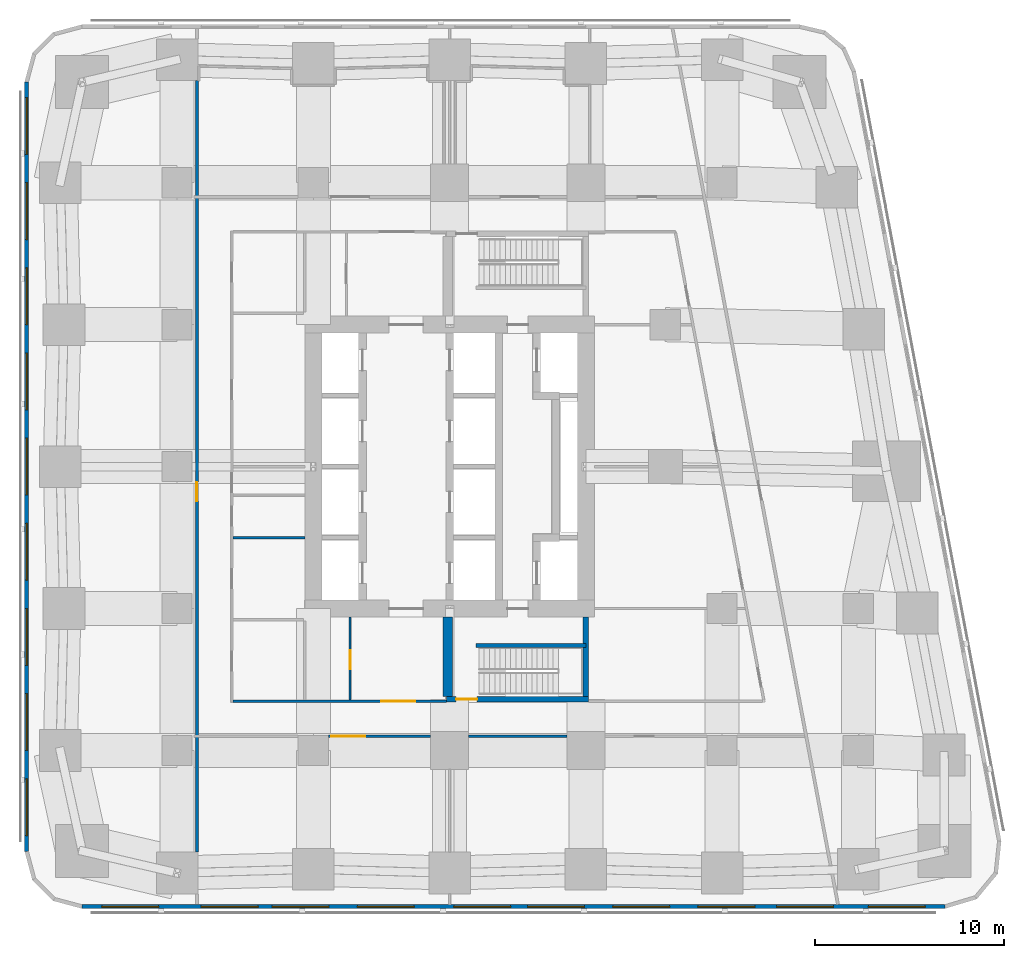
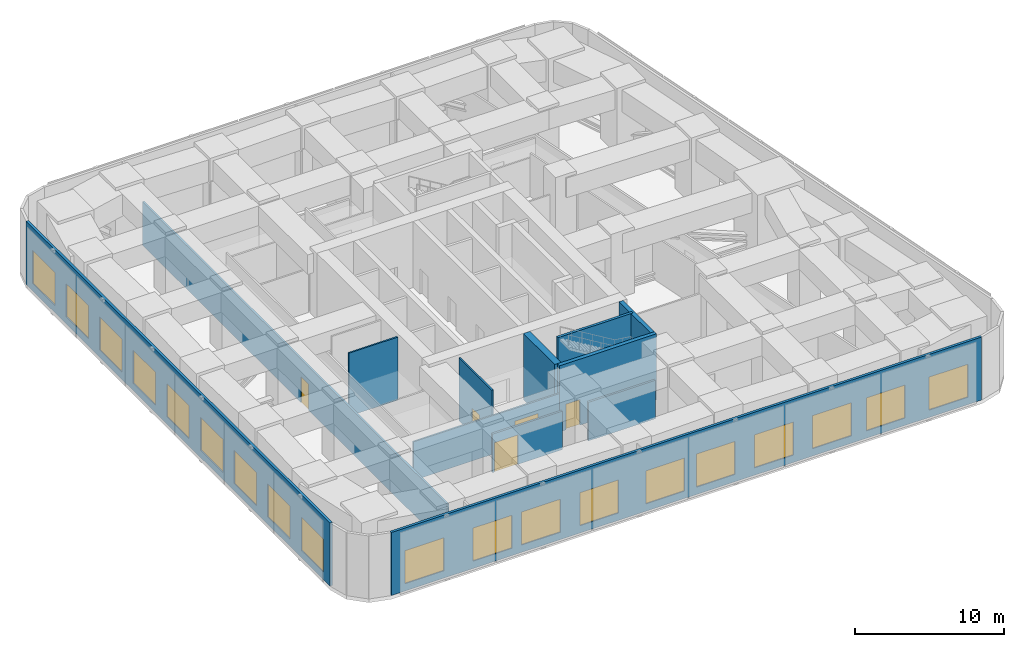
# One storey, part 4 of 10: 19 windows, 12 walls, 5 doors, 24 openings.
"""IFC4 building model written with IfcOpenShell, lengths in metres."""

from ifc_helpers import new_model, si_unit, direction, frame, frame_2d, origin, place, context, subcontext, project, spatial, rectangle, extrude, material, layer, layer_set, type_object, element, fill, save


model = new_model("IFC4")

# Units and contexts
model_context = context("Model", 3, precision=1e-05, world=origin(), true_north=direction((0.0, 1.0)))
body_context = subcontext(model_context, "Body", "Model", "MODEL_VIEW")
ifc_project = project(units=[si_unit("LENGTHUNIT", "METRE"), si_unit("AREAUNIT", "SQUARE_METRE"), si_unit("VOLUMEUNIT", "CUBIC_METRE"), si_unit("PLANEANGLEUNIT", "RADIAN"), si_unit("MASSUNIT", "GRAM", prefix="KILO")], contexts=[model_context])

# Site, building, storey
site_placement = place(None, origin())
site = spatial("IfcSite", under=ifc_project, at=site_placement, CompositionType="ELEMENT")
building_placement = place(site_placement, origin())
building = spatial("IfcBuilding", under=site, at=building_placement, Name="Sheger Commons Tower", CompositionType="ELEMENT")
storey_placement = place(building_placement, frame((0.0, 0.0, 130.39990234375)))
storey = spatial("IfcBuildingStorey", under=building, at=storey_placement, Name="L33", CompositionType="ELEMENT", Elevation=130.39990234375)

# Wall, opening, door
ifc_material_1 = material(Name="Hollow concrete block masonry, skimmed both sides", Category="masonry")
ifc_layer_1 = layer(ifc_material_1, 0.14990234375)
ifc_layer_set_1 = layer_set([ifc_layer_1], Name="CORRIDOR WALL 150")
wall_type_1 = type_object("IfcWallType", Name="CORRIDOR WALL 150", PredefinedType="SOLIDWALL", material=ifc_layer_set_1)
wall_1_placement = place(storey_placement, frame((8.25, 2.1259765625, 0.0), z_axis=(0.0, 0.0, 1.0), x_axis=(0.0, 1.0, 0.0)))
wall_1 = element("IfcWall", 1, at=wall_1_placement, inside=storey, type_object=wall_type_1, Name="Corridor wall L33", PredefinedType="SOLIDWALL", context=body_context, shape_type="SweptSolid", body=[
    extrude(rectangle(XDim=40.77294921875, YDim=0.14990234375, at=frame_2d((20.386474609375, 0.0))), origin(), (0.0, 0.0, 1.0), 3.550048828125),
])
opening_1_placement = place(wall_1_placement, frame((18.550048828125, 0.0, 0.0)))
opening_1 = element("IfcOpeningElement", 2, at=opening_1_placement, cuts=wall_1, Name="Opening D4", PredefinedType="OPENING", context=body_context, shape_type="SweptSolid", body=[
    extrude(rectangle(XDim=1.0, YDim=2.10009765625, at=frame_2d((0.5, 1.050048828125))), frame((0.0, 0.0849609375, 0.0), z_axis=(0.0, -1.0, 0.0), x_axis=(1.0, 0.0, 0.0)), (0.0, 0.0, 1.0), 0.169921875),
])
ifc_material_2 = material(Name="Steel door set, fire rated", Category="steel")
door_type_1 = type_object("IfcDoorType", Name="SERVICE DOOR 1000x2100", OperationType="NOTDEFINED", PredefinedType="DOOR", material=ifc_material_2)
door_1_placement = place(opening_1_placement, origin())
door_1 = element("IfcDoor", 3, at=door_1_placement, inside=storey, type_object=door_type_1, Name="Refuge area door", OperationType="SINGLE_SWING_LEFT", OverallHeight=2.10009765625, OverallWidth=1.0, PredefinedType="DOOR", context=body_context, shape_type="SweptSolid", body=[
    extrude(rectangle(XDim=1.0, YDim=2.10009765625, at=frame_2d((0.5, 1.050048828125))), frame((0.0, 0.02490234375, 0.0), z_axis=(0.0, -1.0, 0.0), x_axis=(1.0, 0.0, 0.0)), (0.0, 0.0, 1.0), 0.050048828125),
])
fill(opening_1, door_1)

# Wall
wall_2_placement = place(storey_placement, frame((27.799072265625, 8.25, 0.0), z_axis=(0.0, 0.0, 1.0), x_axis=(-1.0, 0.0, 0.0)))
element("IfcWall", 4, at=wall_2_placement, inside=storey, type_object=wall_type_1, Name="Corridor wall L33", PredefinedType="SOLIDWALL", context=body_context, shape_type="SweptSolid", body=[
    extrude(rectangle(XDim=5.197998046875, YDim=0.14990234375, at=frame_2d((2.59912109375, 0.0))), origin(), (0.0, 0.0, 1.0), 3.150146484375),
])

# Wall, opening, door
wall_3_placement = place(storey_placement, frame((20.59912109375, 8.25, 0.0), z_axis=(0.0, 0.0, 1.0), x_axis=(-1.0, 0.0, 0.0)))
wall_3 = element("IfcWall", 5, at=wall_3_placement, inside=storey, type_object=wall_type_1, Name="Corridor wall L33", PredefinedType="SOLIDWALL", context=body_context, shape_type="SweptSolid", body=[
    extrude(rectangle(XDim=5.398193359375, YDim=0.14990234375, at=frame_2d((2.69921875, 0.0))), origin(), (0.0, 0.0, 1.0), 3.150146484375),
])
opening_2_placement = place(wall_3_placement, frame((3.447998046875, 0.0, 0.0)))
opening_2 = element("IfcOpeningElement", 6, at=opening_2_placement, cuts=wall_3, Name="Opening D7", PredefinedType="OPENING", context=body_context, shape_type="SweptSolid", body=[
    extrude(rectangle(XDim=1.800048828125, YDim=2.39990234375, at=frame_2d((0.89990234375, 1.199951171875))), frame((0.0, 0.0849609375, 0.0), z_axis=(0.0, -1.0, 0.0), x_axis=(1.0, 0.0, 0.0)), (0.0, 0.0, 1.0), 0.169921875),
])
ifc_material_3 = material(Name="Steel door set, fire rated", Category="steel")
door_type_2 = type_object("IfcDoorType", Name="PLANT DOUBLE DOOR 1800x2400", OperationType="DOUBLE_DOOR_SINGLE_SWING", PredefinedType="DOOR", material=ifc_material_3)
door_2_placement = place(opening_2_placement, origin())
door_2 = element("IfcDoor", 7, at=door_2_placement, inside=storey, type_object=door_type_2, Name="Mechanical plant room door", OperationType="DOUBLE_DOOR_SINGLE_SWING", OverallHeight=2.39990234375, OverallWidth=1.800048828125, PredefinedType="DOOR", context=body_context, shape_type="SweptSolid", body=[
    extrude(rectangle(XDim=1.800048828125, YDim=2.39990234375, at=frame_2d((0.89990234375, 1.199951171875))), frame((0.0, 0.02490234375, 0.0), z_axis=(0.0, -1.0, 0.0), x_axis=(1.0, 0.0, 0.0)), (0.0, 0.0, 1.0), 0.050048828125),
])
fill(opening_2, door_2)

# Wall, openings, windows
ifc_material_4 = material(Name="Rendered concrete block masonry, dark grey", Category="masonry")
ifc_layer_2 = layer(ifc_material_4, 0.199951171875)
ifc_layer_set_2 = layer_set([ifc_layer_2], Name="FACADE WALL 200")
wall_type_2 = type_object("IfcWallType", Name="FACADE WALL 200", PredefinedType="SOLIDWALL", material=ifc_layer_set_2)
wall_4_placement = place(storey_placement, frame((2.1630859375, -0.75, 0.0), z_axis=(0.0, 0.0, 1.0), x_axis=(1.0, 0.0, 0.0)))
wall_4 = element("IfcWall", 8, at=wall_4_placement, inside=storey, type_object=wall_type_2, Name="Facade wall L33", PredefinedType="SOLIDWALL", context=body_context, shape_type="SweptSolid", body=[
    extrude(rectangle(XDim=45.6279296875, YDim=0.199951171875, at=frame_2d((22.81396484375, 0.0))), origin(), (0.0, 0.0, 1.0), 5.150146484375),
])
opening_3_placement = place(wall_4_placement, frame((1.06396484375, 0.0, 0.60009765625)))
opening_3 = element("IfcOpeningElement", 9, at=opening_3_placement, cuts=wall_4, Name="Opening LV2", PredefinedType="OPENING", context=body_context, shape_type="SweptSolid", body=[
    extrude(rectangle(XDim=3.0, YDim=2.699951171875, at=frame_2d((1.5, 1.35009765625))), frame((0.0, 0.10986328125, 0.0), z_axis=(0.0, -1.0, 0.0), x_axis=(1.0, 0.0, 0.0)), (0.0, 0.0, 1.0), 0.219970703125),
])
opening_4_placement = place(wall_4_placement, frame((6.31396484375, 0.0, 0.60009765625)))
opening_4 = element("IfcOpeningElement", 10, at=opening_4_placement, cuts=wall_4, Name="Opening LV2", PredefinedType="OPENING", context=body_context, shape_type="SweptSolid", body=[
    extrude(rectangle(XDim=3.0, YDim=2.699951171875, at=frame_2d((1.5, 1.35009765625))), frame((0.0, 0.10986328125, 0.0), z_axis=(0.0, -1.0, 0.0), x_axis=(1.0, 0.0, 0.0)), (0.0, 0.0, 1.0), 0.219970703125),
])
opening_5_placement = place(wall_4_placement, frame((10.06396484375, 0.0, 0.60009765625)))
opening_5 = element("IfcOpeningElement", 11, at=opening_5_placement, cuts=wall_4, Name="Opening LV2", PredefinedType="OPENING", context=body_context, shape_type="SweptSolid", body=[
    extrude(rectangle(XDim=3.0, YDim=2.699951171875, at=frame_2d((1.5, 1.35009765625))), frame((0.0, 0.10986328125, 0.0), z_axis=(0.0, -1.0, 0.0), x_axis=(1.0, 0.0, 0.0)), (0.0, 0.0, 1.0), 0.219970703125),
])
opening_6_placement = place(wall_4_placement, frame((14.56396484375, 0.0, 0.60009765625)))
opening_6 = element("IfcOpeningElement", 12, at=opening_6_placement, cuts=wall_4, Name="Opening LV2", PredefinedType="OPENING", context=body_context, shape_type="SweptSolid", body=[
    extrude(rectangle(XDim=3.0, YDim=2.699951171875, at=frame_2d((1.5, 1.35009765625))), frame((0.0, 0.10986328125, 0.0), z_axis=(0.0, -1.0, 0.0), x_axis=(1.0, 0.0, 0.0)), (0.0, 0.0, 1.0), 0.219970703125),
])
opening_7_placement = place(wall_4_placement, frame((19.6640625, 0.0, 0.60009765625)))
opening_7 = element("IfcOpeningElement", 13, at=opening_7_placement, cuts=wall_4, Name="Opening LV2", PredefinedType="OPENING", context=body_context, shape_type="SweptSolid", body=[
    extrude(rectangle(XDim=3.0, YDim=2.699951171875, at=frame_2d((1.5, 1.35009765625))), frame((0.0, 0.10986328125, 0.0), z_axis=(0.0, -1.0, 0.0), x_axis=(1.0, 0.0, 0.0)), (0.0, 0.0, 1.0), 0.219970703125),
])
opening_8_placement = place(wall_4_placement, frame((23.56396484375, 0.0, 0.60009765625)))
opening_8 = element("IfcOpeningElement", 14, at=opening_8_placement, cuts=wall_4, Name="Opening LV2", PredefinedType="OPENING", context=body_context, shape_type="SweptSolid", body=[
    extrude(rectangle(XDim=3.0, YDim=2.699951171875, at=frame_2d((1.5, 1.35009765625))), frame((0.0, 0.10986328125, 0.0), z_axis=(0.0, -1.0, 0.0), x_axis=(1.0, 0.0, 0.0)), (0.0, 0.0, 1.0), 0.219970703125),
])
opening_9_placement = place(wall_4_placement, frame((28.06396484375, 0.0, 0.60009765625)))
opening_9 = element("IfcOpeningElement", 15, at=opening_9_placement, cuts=wall_4, Name="Opening LV2", PredefinedType="OPENING", context=body_context, shape_type="SweptSolid", body=[
    extrude(rectangle(XDim=3.0, YDim=2.699951171875, at=frame_2d((1.5, 1.35009765625))), frame((0.0, 0.10986328125, 0.0), z_axis=(0.0, -1.0, 0.0), x_axis=(1.0, 0.0, 0.0)), (0.0, 0.0, 1.0), 0.219970703125),
])
opening_10_placement = place(wall_4_placement, frame((32.56396484375, 0.0, 0.60009765625)))
opening_10 = element("IfcOpeningElement", 16, at=opening_10_placement, cuts=wall_4, Name="Opening LV2", PredefinedType="OPENING", context=body_context, shape_type="SweptSolid", body=[
    extrude(rectangle(XDim=3.0, YDim=2.699951171875, at=frame_2d((1.5, 1.35009765625))), frame((0.0, 0.10986328125, 0.0), z_axis=(0.0, -1.0, 0.0), x_axis=(1.0, 0.0, 0.0)), (0.0, 0.0, 1.0), 0.219970703125),
])
opening_11_placement = place(wall_4_placement, frame((36.714111328125, 0.0, 0.60009765625)))
opening_11 = element("IfcOpeningElement", 17, at=opening_11_placement, cuts=wall_4, Name="Opening LV2", PredefinedType="OPENING", context=body_context, shape_type="SweptSolid", body=[
    extrude(rectangle(XDim=3.0, YDim=2.699951171875, at=frame_2d((1.5, 1.35009765625))), frame((0.0, 0.10986328125, 0.0), z_axis=(0.0, -1.0, 0.0), x_axis=(1.0, 0.0, 0.0)), (0.0, 0.0, 1.0), 0.219970703125),
])
opening_12_placement = place(wall_4_placement, frame((41.56396484375, 0.0, 0.60009765625)))
opening_12 = element("IfcOpeningElement", 18, at=opening_12_placement, cuts=wall_4, Name="Opening LV2", PredefinedType="OPENING", context=body_context, shape_type="SweptSolid", body=[
    extrude(rectangle(XDim=3.0, YDim=2.699951171875, at=frame_2d((1.5, 1.35009765625))), frame((0.0, 0.10986328125, 0.0), z_axis=(0.0, -1.0, 0.0), x_axis=(1.0, 0.0, 0.0)), (0.0, 0.0, 1.0), 0.219970703125),
])
ifc_material_5 = material(Name="Black aluminium louvre", Category="aluminium")
window_type = type_object("IfcWindowType", Name="REFUGE FLOOR LOUVRE LV2 3000x2700", PartitioningType="SINGLE_PANEL", PredefinedType="USERDEFINED", material=ifc_material_5)
window_1_placement = place(opening_3_placement, origin())
window_1 = element("IfcWindow", 19, at=window_1_placement, inside=storey, type_object=window_type, Name="Refuge Floor Louvre Lv2 3000X2700", ObjectType="LOUVRE", OverallHeight=2.699951171875, OverallWidth=3.0, PartitioningType="SINGLE_PANEL", PredefinedType="USERDEFINED", context=body_context, shape_type="SweptSolid", body=[
    extrude(rectangle(XDim=3.0, YDim=2.699951171875, at=frame_2d((1.5, 1.35009765625))), frame((0.0, 0.030029296875, 0.0), z_axis=(0.0, -1.0, 0.0), x_axis=(1.0, 0.0, 0.0)), (0.0, 0.0, 1.0), 0.06005859375),
])
fill(opening_3, window_1)
window_2_placement = place(opening_4_placement, origin())
window_2 = element("IfcWindow", 20, at=window_2_placement, inside=storey, type_object=window_type, Name="Refuge Floor Louvre Lv2 3000X2700", ObjectType="LOUVRE", OverallHeight=2.699951171875, OverallWidth=3.0, PartitioningType="SINGLE_PANEL", PredefinedType="USERDEFINED", context=body_context, shape_type="SweptSolid", body=[
    extrude(rectangle(XDim=3.0, YDim=2.699951171875, at=frame_2d((1.5, 1.35009765625))), frame((0.0, 0.030029296875, 0.0), z_axis=(0.0, -1.0, 0.0), x_axis=(1.0, 0.0, 0.0)), (0.0, 0.0, 1.0), 0.06005859375),
])
fill(opening_4, window_2)
window_3_placement = place(opening_5_placement, origin())
window_3 = element("IfcWindow", 21, at=window_3_placement, inside=storey, type_object=window_type, Name="Refuge Floor Louvre Lv2 3000X2700", ObjectType="LOUVRE", OverallHeight=2.699951171875, OverallWidth=3.0, PartitioningType="SINGLE_PANEL", PredefinedType="USERDEFINED", context=body_context, shape_type="SweptSolid", body=[
    extrude(rectangle(XDim=3.0, YDim=2.699951171875, at=frame_2d((1.5, 1.35009765625))), frame((0.0, 0.030029296875, 0.0), z_axis=(0.0, -1.0, 0.0), x_axis=(1.0, 0.0, 0.0)), (0.0, 0.0, 1.0), 0.06005859375),
])
fill(opening_5, window_3)
window_4_placement = place(opening_6_placement, origin())
window_4 = element("IfcWindow", 22, at=window_4_placement, inside=storey, type_object=window_type, Name="Refuge Floor Louvre Lv2 3000X2700", ObjectType="LOUVRE", OverallHeight=2.699951171875, OverallWidth=3.0, PartitioningType="SINGLE_PANEL", PredefinedType="USERDEFINED", context=body_context, shape_type="SweptSolid", body=[
    extrude(rectangle(XDim=3.0, YDim=2.699951171875, at=frame_2d((1.5, 1.35009765625))), frame((0.0, 0.030029296875, 0.0), z_axis=(0.0, -1.0, 0.0), x_axis=(1.0, 0.0, 0.0)), (0.0, 0.0, 1.0), 0.06005859375),
])
fill(opening_6, window_4)
window_5_placement = place(opening_7_placement, origin())
window_5 = element("IfcWindow", 23, at=window_5_placement, inside=storey, type_object=window_type, Name="Refuge Floor Louvre Lv2 3000X2700", ObjectType="LOUVRE", OverallHeight=2.699951171875, OverallWidth=3.0, PartitioningType="SINGLE_PANEL", PredefinedType="USERDEFINED", context=body_context, shape_type="SweptSolid", body=[
    extrude(rectangle(XDim=3.0, YDim=2.699951171875, at=frame_2d((1.5, 1.35009765625))), frame((0.0, 0.030029296875, 0.0), z_axis=(0.0, -1.0, 0.0), x_axis=(1.0, 0.0, 0.0)), (0.0, 0.0, 1.0), 0.06005859375),
])
fill(opening_7, window_5)
window_6_placement = place(opening_8_placement, origin())
window_6 = element("IfcWindow", 24, at=window_6_placement, inside=storey, type_object=window_type, Name="Refuge Floor Louvre Lv2 3000X2700", ObjectType="LOUVRE", OverallHeight=2.699951171875, OverallWidth=3.0, PartitioningType="SINGLE_PANEL", PredefinedType="USERDEFINED", context=body_context, shape_type="SweptSolid", body=[
    extrude(rectangle(XDim=3.0, YDim=2.699951171875, at=frame_2d((1.5, 1.35009765625))), frame((0.0, 0.030029296875, 0.0), z_axis=(0.0, -1.0, 0.0), x_axis=(1.0, 0.0, 0.0)), (0.0, 0.0, 1.0), 0.06005859375),
])
fill(opening_8, window_6)
window_7_placement = place(opening_9_placement, origin())
window_7 = element("IfcWindow", 25, at=window_7_placement, inside=storey, type_object=window_type, Name="Refuge Floor Louvre Lv2 3000X2700", ObjectType="LOUVRE", OverallHeight=2.699951171875, OverallWidth=3.0, PartitioningType="SINGLE_PANEL", PredefinedType="USERDEFINED", context=body_context, shape_type="SweptSolid", body=[
    extrude(rectangle(XDim=3.0, YDim=2.699951171875, at=frame_2d((1.5, 1.35009765625))), frame((0.0, 0.030029296875, 0.0), z_axis=(0.0, -1.0, 0.0), x_axis=(1.0, 0.0, 0.0)), (0.0, 0.0, 1.0), 0.06005859375),
])
fill(opening_9, window_7)
window_8_placement = place(opening_10_placement, origin())
window_8 = element("IfcWindow", 26, at=window_8_placement, inside=storey, type_object=window_type, Name="Refuge Floor Louvre Lv2 3000X2700", ObjectType="LOUVRE", OverallHeight=2.699951171875, OverallWidth=3.0, PartitioningType="SINGLE_PANEL", PredefinedType="USERDEFINED", context=body_context, shape_type="SweptSolid", body=[
    extrude(rectangle(XDim=3.0, YDim=2.699951171875, at=frame_2d((1.5, 1.35009765625))), frame((0.0, 0.030029296875, 0.0), z_axis=(0.0, -1.0, 0.0), x_axis=(1.0, 0.0, 0.0)), (0.0, 0.0, 1.0), 0.06005859375),
])
fill(opening_10, window_8)
window_9_placement = place(opening_11_placement, origin())
window_9 = element("IfcWindow", 27, at=window_9_placement, inside=storey, type_object=window_type, Name="Refuge Floor Louvre Lv2 3000X2700", ObjectType="LOUVRE", OverallHeight=2.699951171875, OverallWidth=3.0, PartitioningType="SINGLE_PANEL", PredefinedType="USERDEFINED", context=body_context, shape_type="SweptSolid", body=[
    extrude(rectangle(XDim=3.0, YDim=2.699951171875, at=frame_2d((1.5, 1.35009765625))), frame((0.0, 0.030029296875, 0.0), z_axis=(0.0, -1.0, 0.0), x_axis=(1.0, 0.0, 0.0)), (0.0, 0.0, 1.0), 0.06005859375),
])
fill(opening_11, window_9)
window_10_placement = place(opening_12_placement, origin())
window_10 = element("IfcWindow", 28, at=window_10_placement, inside=storey, type_object=window_type, Name="Refuge Floor Louvre Lv2 3000X2700", ObjectType="LOUVRE", OverallHeight=2.699951171875, OverallWidth=3.0, PartitioningType="SINGLE_PANEL", PredefinedType="USERDEFINED", context=body_context, shape_type="SweptSolid", body=[
    extrude(rectangle(XDim=3.0, YDim=2.699951171875, at=frame_2d((1.5, 1.35009765625))), frame((0.0, 0.030029296875, 0.0), z_axis=(0.0, -1.0, 0.0), x_axis=(1.0, 0.0, 0.0)), (0.0, 0.0, 1.0), 0.06005859375),
])
fill(opening_12, window_10)

wall_5_placement = place(storey_placement, frame((-0.75, 42.8369140625, 0.0), z_axis=(0.0, 0.0, 1.0), x_axis=(0.0, -1.0, 0.0)))
wall_5 = element("IfcWall", 29, at=wall_5_placement, inside=storey, type_object=wall_type_2, Name="Facade wall L33", PredefinedType="SOLIDWALL", context=body_context, shape_type="SweptSolid", body=[
    extrude(rectangle(XDim=40.673828125, YDim=0.199951171875, at=frame_2d((20.3369140625, 0.0))), origin(), (0.0, 0.0, 1.0), 5.150146484375),
])
opening_13_placement = place(wall_5_placement, frame((0.8369140625, 0.0, 0.60009765625)))
opening_13 = element("IfcOpeningElement", 30, at=opening_13_placement, cuts=wall_5, Name="Opening LV2", PredefinedType="OPENING", context=body_context, shape_type="SweptSolid", body=[
    extrude(rectangle(XDim=3.0, YDim=2.699951171875, at=frame_2d((1.5, 1.35009765625))), frame((0.0, 0.10986328125, 0.0), z_axis=(0.0, -1.0, 0.0), x_axis=(1.0, 0.0, 0.0)), (0.0, 0.0, 1.0), 0.219970703125),
])
opening_14_placement = place(wall_5_placement, frame((5.3369140625, 0.0, 0.60009765625)))
opening_14 = element("IfcOpeningElement", 31, at=opening_14_placement, cuts=wall_5, Name="Opening LV2", PredefinedType="OPENING", context=body_context, shape_type="SweptSolid", body=[
    extrude(rectangle(XDim=3.0, YDim=2.699951171875, at=frame_2d((1.5, 1.35009765625))), frame((0.0, 0.10986328125, 0.0), z_axis=(0.0, -1.0, 0.0), x_axis=(1.0, 0.0, 0.0)), (0.0, 0.0, 1.0), 0.219970703125),
])
opening_15_placement = place(wall_5_placement, frame((9.8369140625, 0.0, 0.60009765625)))
opening_15 = element("IfcOpeningElement", 32, at=opening_15_placement, cuts=wall_5, Name="Opening LV2", PredefinedType="OPENING", context=body_context, shape_type="SweptSolid", body=[
    extrude(rectangle(XDim=3.0, YDim=2.699951171875, at=frame_2d((1.5, 1.35009765625))), frame((0.0, 0.10986328125, 0.0), z_axis=(0.0, -1.0, 0.0), x_axis=(1.0, 0.0, 0.0)), (0.0, 0.0, 1.0), 0.219970703125),
])
opening_16_placement = place(wall_5_placement, frame((14.3369140625, 0.0, 0.60009765625)))
opening_16 = element("IfcOpeningElement", 33, at=opening_16_placement, cuts=wall_5, Name="Opening LV2", PredefinedType="OPENING", context=body_context, shape_type="SweptSolid", body=[
    extrude(rectangle(XDim=3.0, YDim=2.699951171875, at=frame_2d((1.5, 1.35009765625))), frame((0.0, 0.10986328125, 0.0), z_axis=(0.0, -1.0, 0.0), x_axis=(1.0, 0.0, 0.0)), (0.0, 0.0, 1.0), 0.219970703125),
])
opening_17_placement = place(wall_5_placement, frame((18.8369140625, 0.0, 0.60009765625)))
opening_17 = element("IfcOpeningElement", 34, at=opening_17_placement, cuts=wall_5, Name="Opening LV2", PredefinedType="OPENING", context=body_context, shape_type="SweptSolid", body=[
    extrude(rectangle(XDim=3.0, YDim=2.699951171875, at=frame_2d((1.5, 1.35009765625))), frame((0.0, 0.10986328125, 0.0), z_axis=(0.0, -1.0, 0.0), x_axis=(1.0, 0.0, 0.0)), (0.0, 0.0, 1.0), 0.219970703125),
])
opening_18_placement = place(wall_5_placement, frame((23.3369140625, 0.0, 0.60009765625)))
opening_18 = element("IfcOpeningElement", 35, at=opening_18_placement, cuts=wall_5, Name="Opening LV2", PredefinedType="OPENING", context=body_context, shape_type="SweptSolid", body=[
    extrude(rectangle(XDim=3.0, YDim=2.699951171875, at=frame_2d((1.5, 1.35009765625))), frame((0.0, 0.10986328125, 0.0), z_axis=(0.0, -1.0, 0.0), x_axis=(1.0, 0.0, 0.0)), (0.0, 0.0, 1.0), 0.219970703125),
])
opening_19_placement = place(wall_5_placement, frame((27.8369140625, 0.0, 0.60009765625)))
opening_19 = element("IfcOpeningElement", 36, at=opening_19_placement, cuts=wall_5, Name="Opening LV2", PredefinedType="OPENING", context=body_context, shape_type="SweptSolid", body=[
    extrude(rectangle(XDim=3.0, YDim=2.699951171875, at=frame_2d((1.5, 1.35009765625))), frame((0.0, 0.10986328125, 0.0), z_axis=(0.0, -1.0, 0.0), x_axis=(1.0, 0.0, 0.0)), (0.0, 0.0, 1.0), 0.219970703125),
])
opening_20_placement = place(wall_5_placement, frame((32.3369140625, 0.0, 0.60009765625)))
opening_20 = element("IfcOpeningElement", 37, at=opening_20_placement, cuts=wall_5, Name="Opening LV2", PredefinedType="OPENING", context=body_context, shape_type="SweptSolid", body=[
    extrude(rectangle(XDim=3.0, YDim=2.699951171875, at=frame_2d((1.5, 1.35009765625))), frame((0.0, 0.10986328125, 0.0), z_axis=(0.0, -1.0, 0.0), x_axis=(1.0, 0.0, 0.0)), (0.0, 0.0, 1.0), 0.219970703125),
])
opening_21_placement = place(wall_5_placement, frame((36.8369140625, 0.0, 0.60009765625)))
opening_21 = element("IfcOpeningElement", 38, at=opening_21_placement, cuts=wall_5, Name="Opening LV2", PredefinedType="OPENING", context=body_context, shape_type="SweptSolid", body=[
    extrude(rectangle(XDim=3.0, YDim=2.699951171875, at=frame_2d((1.5, 1.35009765625))), frame((0.0, 0.10986328125, 0.0), z_axis=(0.0, -1.0, 0.0), x_axis=(1.0, 0.0, 0.0)), (0.0, 0.0, 1.0), 0.219970703125),
])
window_11_placement = place(opening_13_placement, origin())
window_11 = element("IfcWindow", 39, at=window_11_placement, inside=storey, type_object=window_type, Name="Refuge Floor Louvre Lv2 3000X2700", ObjectType="LOUVRE", OverallHeight=2.699951171875, OverallWidth=3.0, PartitioningType="SINGLE_PANEL", PredefinedType="USERDEFINED", context=body_context, shape_type="SweptSolid", body=[
    extrude(rectangle(XDim=3.0, YDim=2.699951171875, at=frame_2d((1.5, 1.35009765625))), frame((0.0, 0.030029296875, 0.0), z_axis=(0.0, -1.0, 0.0), x_axis=(1.0, 0.0, 0.0)), (0.0, 0.0, 1.0), 0.06005859375),
])
fill(opening_13, window_11)
window_12_placement = place(opening_14_placement, origin())
window_12 = element("IfcWindow", 40, at=window_12_placement, inside=storey, type_object=window_type, Name="Refuge Floor Louvre Lv2 3000X2700", ObjectType="LOUVRE", OverallHeight=2.699951171875, OverallWidth=3.0, PartitioningType="SINGLE_PANEL", PredefinedType="USERDEFINED", context=body_context, shape_type="SweptSolid", body=[
    extrude(rectangle(XDim=3.0, YDim=2.699951171875, at=frame_2d((1.5, 1.35009765625))), frame((0.0, 0.030029296875, 0.0), z_axis=(0.0, -1.0, 0.0), x_axis=(1.0, 0.0, 0.0)), (0.0, 0.0, 1.0), 0.06005859375),
])
fill(opening_14, window_12)
window_13_placement = place(opening_15_placement, origin())
window_13 = element("IfcWindow", 41, at=window_13_placement, inside=storey, type_object=window_type, Name="Refuge Floor Louvre Lv2 3000X2700", ObjectType="LOUVRE", OverallHeight=2.699951171875, OverallWidth=3.0, PartitioningType="SINGLE_PANEL", PredefinedType="USERDEFINED", context=body_context, shape_type="SweptSolid", body=[
    extrude(rectangle(XDim=3.0, YDim=2.699951171875, at=frame_2d((1.5, 1.35009765625))), frame((0.0, 0.030029296875, 0.0), z_axis=(0.0, -1.0, 0.0), x_axis=(1.0, 0.0, 0.0)), (0.0, 0.0, 1.0), 0.06005859375),
])
fill(opening_15, window_13)
window_14_placement = place(opening_16_placement, origin())
window_14 = element("IfcWindow", 42, at=window_14_placement, inside=storey, type_object=window_type, Name="Refuge Floor Louvre Lv2 3000X2700", ObjectType="LOUVRE", OverallHeight=2.699951171875, OverallWidth=3.0, PartitioningType="SINGLE_PANEL", PredefinedType="USERDEFINED", context=body_context, shape_type="SweptSolid", body=[
    extrude(rectangle(XDim=3.0, YDim=2.699951171875, at=frame_2d((1.5, 1.35009765625))), frame((0.0, 0.030029296875, 0.0), z_axis=(0.0, -1.0, 0.0), x_axis=(1.0, 0.0, 0.0)), (0.0, 0.0, 1.0), 0.06005859375),
])
fill(opening_16, window_14)
window_15_placement = place(opening_17_placement, origin())
window_15 = element("IfcWindow", 43, at=window_15_placement, inside=storey, type_object=window_type, Name="Refuge Floor Louvre Lv2 3000X2700", ObjectType="LOUVRE", OverallHeight=2.699951171875, OverallWidth=3.0, PartitioningType="SINGLE_PANEL", PredefinedType="USERDEFINED", context=body_context, shape_type="SweptSolid", body=[
    extrude(rectangle(XDim=3.0, YDim=2.699951171875, at=frame_2d((1.5, 1.35009765625))), frame((0.0, 0.030029296875, 0.0), z_axis=(0.0, -1.0, 0.0), x_axis=(1.0, 0.0, 0.0)), (0.0, 0.0, 1.0), 0.06005859375),
])
fill(opening_17, window_15)
window_16_placement = place(opening_18_placement, origin())
window_16 = element("IfcWindow", 44, at=window_16_placement, inside=storey, type_object=window_type, Name="Refuge Floor Louvre Lv2 3000X2700", ObjectType="LOUVRE", OverallHeight=2.699951171875, OverallWidth=3.0, PartitioningType="SINGLE_PANEL", PredefinedType="USERDEFINED", context=body_context, shape_type="SweptSolid", body=[
    extrude(rectangle(XDim=3.0, YDim=2.699951171875, at=frame_2d((1.5, 1.35009765625))), frame((0.0, 0.030029296875, 0.0), z_axis=(0.0, -1.0, 0.0), x_axis=(1.0, 0.0, 0.0)), (0.0, 0.0, 1.0), 0.06005859375),
])
fill(opening_18, window_16)
window_17_placement = place(opening_19_placement, origin())
window_17 = element("IfcWindow", 45, at=window_17_placement, inside=storey, type_object=window_type, Name="Refuge Floor Louvre Lv2 3000X2700", ObjectType="LOUVRE", OverallHeight=2.699951171875, OverallWidth=3.0, PartitioningType="SINGLE_PANEL", PredefinedType="USERDEFINED", context=body_context, shape_type="SweptSolid", body=[
    extrude(rectangle(XDim=3.0, YDim=2.699951171875, at=frame_2d((1.5, 1.35009765625))), frame((0.0, 0.030029296875, 0.0), z_axis=(0.0, -1.0, 0.0), x_axis=(1.0, 0.0, 0.0)), (0.0, 0.0, 1.0), 0.06005859375),
])
fill(opening_19, window_17)
window_18_placement = place(opening_20_placement, origin())
window_18 = element("IfcWindow", 46, at=window_18_placement, inside=storey, type_object=window_type, Name="Refuge Floor Louvre Lv2 3000X2700", ObjectType="LOUVRE", OverallHeight=2.699951171875, OverallWidth=3.0, PartitioningType="SINGLE_PANEL", PredefinedType="USERDEFINED", context=body_context, shape_type="SweptSolid", body=[
    extrude(rectangle(XDim=3.0, YDim=2.699951171875, at=frame_2d((1.5, 1.35009765625))), frame((0.0, 0.030029296875, 0.0), z_axis=(0.0, -1.0, 0.0), x_axis=(1.0, 0.0, 0.0)), (0.0, 0.0, 1.0), 0.06005859375),
])
fill(opening_20, window_18)
window_19_placement = place(opening_21_placement, origin())
window_19 = element("IfcWindow", 47, at=window_19_placement, inside=storey, type_object=window_type, Name="Refuge Floor Louvre Lv2 3000X2700", ObjectType="LOUVRE", OverallHeight=2.699951171875, OverallWidth=3.0, PartitioningType="SINGLE_PANEL", PredefinedType="USERDEFINED", context=body_context, shape_type="SweptSolid", body=[
    extrude(rectangle(XDim=3.0, YDim=2.699951171875, at=frame_2d((1.5, 1.35009765625))), frame((0.0, 0.030029296875, 0.0), z_axis=(0.0, -1.0, 0.0), x_axis=(1.0, 0.0, 0.0)), (0.0, 0.0, 1.0), 0.06005859375),
])
fill(opening_21, window_19)

# Wall, opening, door
ifc_material_6 = material(Name="Gypsum board on steel studs, two layers each side, fire rated", Category="steel")
ifc_layer_3 = layer(ifc_material_6, 0.125)
ifc_layer_set_3 = layer_set([ifc_layer_3], Name="SERVICE WALL 125")
wall_type_3 = type_object("IfcWallType", Name="SERVICE WALL 125", PredefinedType="PARTITIONING", material=ifc_layer_set_3)
wall_6_placement = place(storey_placement, frame((10.1630859375, 10.10009765625, 0.0), z_axis=(0.0, 0.0, 1.0), x_axis=(1.0, 0.0, 0.0)))
wall_6 = element("IfcWall", 48, at=wall_6_placement, inside=storey, type_object=wall_type_3, Name="Service room wall L33", PredefinedType="PARTITIONING", context=body_context, shape_type="SweptSolid", body=[
    extrude(rectangle(XDim=11.286865234375, YDim=0.125, at=frame_2d((5.6435546875, 0.0))), origin(), (0.0, 0.0, 1.0), 3.150146484375),
])
opening_22_placement = place(wall_6_placement, frame((7.83203125, 0.0, 0.0)))
opening_22 = element("IfcOpeningElement", 49, at=opening_22_placement, cuts=wall_6, Name="Opening D6", PredefinedType="OPENING", context=body_context, shape_type="SweptSolid", body=[
    extrude(rectangle(XDim=1.800048828125, YDim=2.10009765625, at=frame_2d((0.89990234375, 1.050048828125))), frame((0.0, 0.072509765625, 0.0), z_axis=(0.0, -1.0, 0.0), x_axis=(1.0, 0.0, 0.0)), (0.0, 0.0, 1.0), 0.14501953125),
])
ifc_material_7 = material(Name="Steel door set, fire rated", Category="steel")
door_type_3 = type_object("IfcDoorType", Name="LOBBY DOUBLE DOOR 1800x2100", OperationType="DOUBLE_DOOR_SINGLE_SWING", PredefinedType="DOOR", material=ifc_material_7)
door_3_placement = place(opening_22_placement, origin())
door_3 = element("IfcDoor", 50, at=door_3_placement, inside=storey, type_object=door_type_3, Name="Lift lobby south door", OperationType="DOUBLE_DOOR_SINGLE_SWING", OverallHeight=2.10009765625, OverallWidth=1.800048828125, PredefinedType="DOOR", context=body_context, shape_type="SweptSolid", body=[
    extrude(rectangle(XDim=1.800048828125, YDim=2.10009765625, at=frame_2d((0.89990234375, 1.050048828125))), frame((0.0, 0.02490234375, 0.0), z_axis=(0.0, -1.0, 0.0), x_axis=(1.0, 0.0, 0.0)), (0.0, 0.0, 1.0), 0.050048828125),
])
fill(opening_22, door_3)

wall_7_placement = place(storey_placement, frame((16.340087890625, 10.1630859375, 0.0), z_axis=(0.0, 0.0, 1.0), x_axis=(0.0, 1.0, 0.0)))
wall_7 = element("IfcWall", 51, at=wall_7_placement, inside=storey, type_object=wall_type_3, Name="Service room wall L33", PredefinedType="PARTITIONING", context=body_context, shape_type="SweptSolid", body=[
    extrude(rectangle(XDim=4.386962890625, YDim=0.125, at=frame_2d((2.193359375, 0.0))), origin(), (0.0, 0.0, 1.0), 5.150146484375),
])
opening_23_placement = place(wall_7_placement, frame((1.636962890625, 0.0, 0.0)))
opening_23 = element("IfcOpeningElement", 52, at=opening_23_placement, cuts=wall_7, Name="Opening D4", PredefinedType="OPENING", context=body_context, shape_type="SweptSolid", body=[
    extrude(rectangle(XDim=1.0, YDim=2.10009765625, at=frame_2d((0.5, 1.050048828125))), frame((0.0, 0.072509765625, 0.0), z_axis=(0.0, -1.0, 0.0), x_axis=(1.0, 0.0, 0.0)), (0.0, 0.0, 1.0), 0.14501953125),
])
door_4_placement = place(opening_23_placement, origin())
door_4 = element("IfcDoor", 53, at=door_4_placement, inside=storey, type_object=door_type_1, Name="Electrical plant room door", OperationType="SINGLE_SWING_LEFT", OverallHeight=2.10009765625, OverallWidth=1.0, PredefinedType="DOOR", context=body_context, shape_type="SweptSolid", body=[
    extrude(rectangle(XDim=1.0, YDim=2.10009765625, at=frame_2d((0.5, 1.050048828125))), frame((0.0, 0.02490234375, 0.0), z_axis=(0.0, -1.0, 0.0), x_axis=(1.0, 0.0, 0.0)), (0.0, 0.0, 1.0), 0.050048828125),
])
fill(opening_23, door_4)

# Wall
wall_8_placement = place(storey_placement, frame((10.1630859375, 18.75, 0.0), z_axis=(0.0, 0.0, 1.0), x_axis=(1.0, 0.0, 0.0)))
element("IfcWall", 54, at=wall_8_placement, inside=storey, type_object=wall_type_3, Name="Service room wall L33", PredefinedType="PARTITIONING", context=body_context, shape_type="SweptSolid", body=[
    extrude(rectangle(XDim=3.786865234375, YDim=0.125, at=frame_2d((1.8935546875, 0.0))), origin(), (0.0, 0.0, 1.0), 5.150146484375),
])

# Wall, opening, door
ifc_material_8 = material(Name="Concrete C50/60", Category="concrete")
ifc_layer_4 = layer(ifc_material_8, 0.300048828125)
ifc_layer_set_4 = layer_set([ifc_layer_4], Name="STAIR CORE WALL 300")
wall_type_4 = type_object("IfcWallType", Name="STAIR CORE WALL 300", PredefinedType="SHEAR", material=ifc_layer_set_4)
wall_9_placement = place(storey_placement, frame((21.449951171875, 10.199951171875, 0.0), z_axis=(0.0, 0.0, 1.0), x_axis=(1.0, 0.0, 0.0)))
wall_9 = element("IfcWall", 55, at=wall_9_placement, inside=storey, type_object=wall_type_4, Name="STW-L33-S1S", PredefinedType="SHEAR", context=body_context, shape_type="SweptSolid", body=[
    extrude(rectangle(XDim=7.5, YDim=0.300048828125, at=frame_2d((3.75, 0.0))), origin(), (0.0, 0.0, 1.0), 5.400146484375),
])
opening_24_placement = place(wall_9_placement, frame((0.5, 0.0, 0.0)))
opening_24 = element("IfcOpeningElement", 56, at=opening_24_placement, cuts=wall_9, Name="Opening D5", PredefinedType="OPENING", context=body_context, shape_type="SweptSolid", body=[
    extrude(rectangle(XDim=1.10009765625, YDim=2.10009765625, at=frame_2d((0.550048828125, 1.050048828125))), frame((0.0, 0.159912109375, 0.0), z_axis=(0.0, -1.0, 0.0), x_axis=(1.0, 0.0, 0.0)), (0.0, 0.0, 1.0), 0.320068359375),
])
ifc_material_9 = material(Name="Steel door set, fire rated", Category="steel")
door_type_4 = type_object("IfcDoorType", Name="STAIR DOOR 1100x2100", OperationType="NOTDEFINED", PredefinedType="DOOR", material=ifc_material_9)
door_5_placement = place(opening_24_placement, origin())
door_5 = element("IfcDoor", 57, at=door_5_placement, inside=storey, type_object=door_type_4, Name="Stair S1 door", OperationType="SINGLE_SWING_LEFT", OverallHeight=2.10009765625, OverallWidth=1.10009765625, PredefinedType="DOOR", context=body_context, shape_type="SweptSolid", body=[
    extrude(rectangle(XDim=1.10009765625, YDim=2.10009765625, at=frame_2d((0.550048828125, 1.050048828125))), frame((0.0, 0.02490234375, 0.0), z_axis=(0.0, -1.0, 0.0), x_axis=(1.0, 0.0, 0.0)), (0.0, 0.0, 1.0), 0.050048828125),
])
fill(opening_24, door_5)

# Walls
wall_10_placement = place(storey_placement, frame((28.800048828125, 10.35009765625, 0.0), z_axis=(0.0, 0.0, 1.0), x_axis=(0.0, 1.0, 0.0)))
element("IfcWall", 58, at=wall_10_placement, inside=storey, type_object=wall_type_4, Name="STW-L33-S1E", PredefinedType="SHEAR", context=body_context, shape_type="SweptSolid", body=[
    extrude(rectangle(XDim=4.199951171875, YDim=0.300048828125, at=frame_2d((2.10009765625, 0.0))), origin(), (0.0, 0.0, 1.0), 5.400146484375),
])
ifc_material_10 = material(Name="Concrete C50/60", Category="concrete")
ifc_layer_5 = layer(ifc_material_10, 0.5)
ifc_layer_set_5 = layer_set([ifc_layer_5], Name="STAIR CORE WALL 500")
wall_type_5 = type_object("IfcWallType", Name="STAIR CORE WALL 500", PredefinedType="SHEAR", material=ifc_layer_set_5)
wall_11_placement = place(storey_placement, frame((21.5, 10.35009765625, 0.0), z_axis=(0.0, 0.0, 1.0), x_axis=(0.0, 1.0, 0.0)))
element("IfcWall", 59, at=wall_11_placement, inside=storey, type_object=wall_type_5, Name="STW-L33-S1W", PredefinedType="SHEAR", context=body_context, shape_type="SweptSolid", body=[
    extrude(rectangle(XDim=4.199951171875, YDim=0.5, at=frame_2d((2.10009765625, 0.0))), origin(), (0.0, 0.0, 1.0), 5.400146484375),
])
ifc_material_11 = material(Name="Concrete C50/60", Category="concrete")
ifc_layer_6 = layer(ifc_material_11, 0.199951171875)
ifc_layer_set_6 = layer_set([ifc_layer_6], Name="STAIR SPINE WALL 200")
wall_type_6 = type_object("IfcWallType", Name="STAIR SPINE WALL 200", PredefinedType="SHEAR", material=ifc_layer_set_6)
wall_12_placement = place(storey_placement, frame((23.0, 13.050048828125, 0.0), z_axis=(0.0, 0.0, 1.0), x_axis=(1.0, 0.0, 0.0)))
element("IfcWall", 60, at=wall_12_placement, inside=storey, type_object=wall_type_6, Name="Stair spine wall L33", PredefinedType="SHEAR", context=body_context, shape_type="SweptSolid", body=[
    extrude(rectangle(XDim=5.800048828125, YDim=0.199951171875, at=frame_2d((2.89990234375, 0.0))), origin(), (0.0, 0.0, 1.0), 5.400146484375),
])

save(model, "model.ifc")
